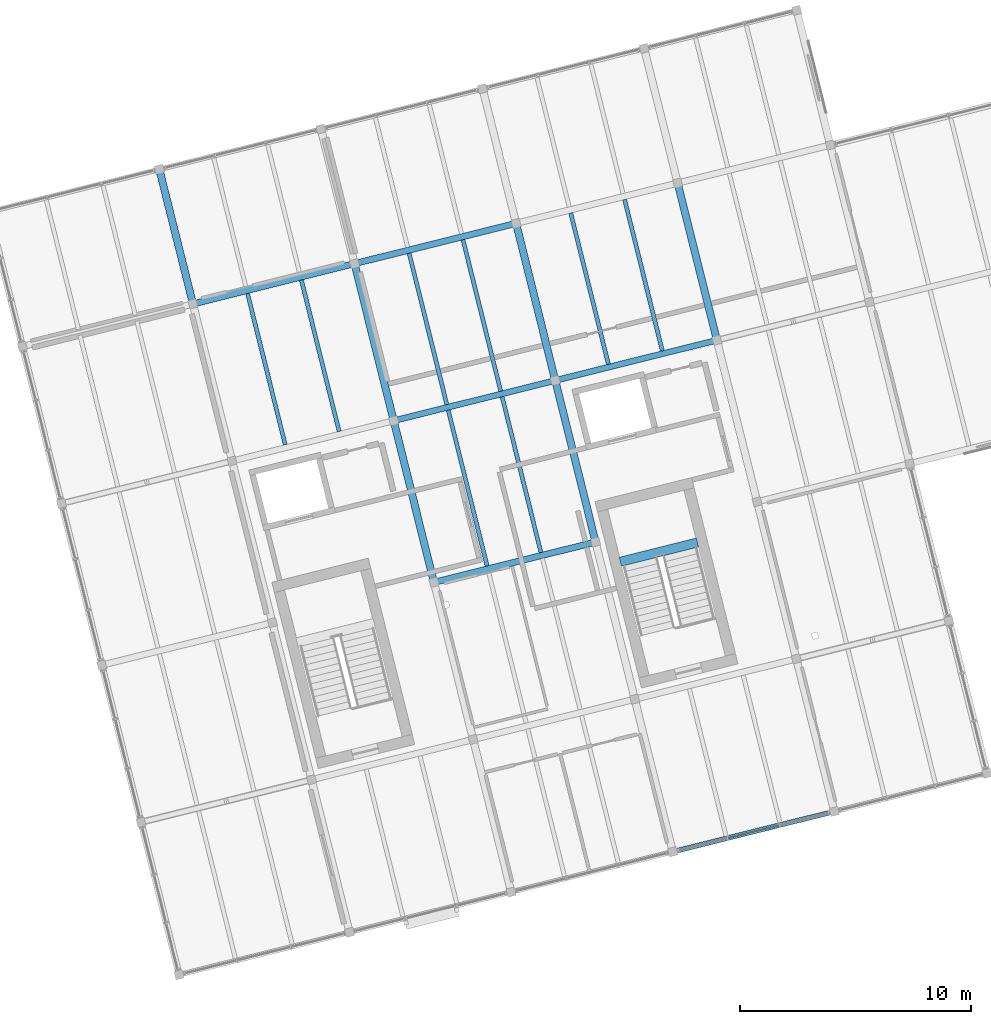
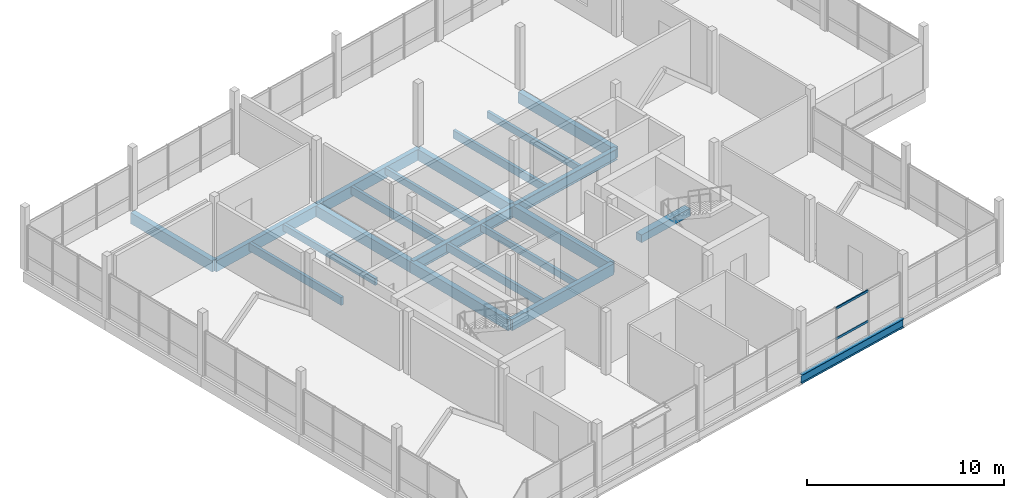
# One storey, part 10 of 26: 21 beams, 2 members, 1 element without a shape of its own.
"""IFC4 building model written with IfcOpenShell, lengths in metres."""

from ifc_helpers import new_model, si_unit, direction, frame, origin, origin_2d, place, context, subcontext, project, spatial, rectangle, hollow_rectangle, i_section, extrude, material, layer, layer_set, material_profile, profile_set, type_object, element, aggregate, save


model = new_model("IFC4")

# Units and contexts
model_context = context("Model", 3, precision=1e-05, world=origin(), true_north=direction((0.0, 1.0)))
body_context = subcontext(model_context, "Body", "Model", "MODEL_VIEW")
ifc_project = project(units=[si_unit("LENGTHUNIT", "METRE"), si_unit("AREAUNIT", "SQUARE_METRE"), si_unit("VOLUMEUNIT", "CUBIC_METRE"), si_unit("PLANEANGLEUNIT", "RADIAN"), si_unit("MASSUNIT", "GRAM", prefix="KILO")], contexts=[model_context])

# Site, building, storey
site_placement = place(None, origin())
site = spatial("IfcSite", under=ifc_project, at=site_placement, CompositionType="ELEMENT")
building_placement = place(site_placement, origin())
building = spatial("IfcBuilding", under=site, at=building_placement, Name="Meriwether Solvik Hall", CompositionType="ELEMENT")
storey_placement = place(building_placement, frame((0.0, 0.0, 41.699951171875)))
storey = spatial("IfcBuildingStorey", under=building, at=storey_placement, Name="L10", CompositionType="ELEMENT", Elevation=41.699951171875)

# Beams
ifc_material_1 = material(Name="Glulam Douglas-Fir 24F-V8 GL28h", Category="wood")
ifc_material_profile_1 = material_profile(ifc_material_1, rectangle(XDim=0.27294921875, YDim=0.68505859375, at=origin_2d()), Name="GLB-273X685")
ifc_profile_set_1 = profile_set([ifc_material_profile_1], Name="Glulam Douglas-Fir 24F-V8 GL28h")
beam_type_1 = type_object("IfcBeamType", Name="BM-GL-273X685", PredefinedType="BEAM", material=ifc_profile_set_1)
for number, where, z_axis, x_axis, name in (
    (1, (79.621826171875, 58.17041015625, -0.5224609375), (0.970291911955, 0.241937193493, 0.0), (-0.241937193493, 0.970291911955, 0.0), "Tower Girder TC:T3-T4 (L10)"),
    (2, (69.200439453125, 70.206787109375, -0.5224609375), (0.970291911955, 0.241937193493, 0.0), (-0.241937193493, 0.970291911955, 0.0), "Tower Girder TE:T2-T3 (L10)"),
    (3, (76.1865234375, 71.94873046875, -0.5224609375), (0.970291911955, 0.241937193493, 0.0), (-0.241937193493, 0.970291911955, 0.0), "Tower Girder TE:T3-T4 (L10)"),
):
    element("IfcBeam", number, at=place(storey_placement, frame(where, z_axis=z_axis, x_axis=x_axis)), inside=storey, type_object=beam_type_1, Name=name, PredefinedType="BEAM", context=body_context, shape_type="SweptSolid", body=[
        extrude(rectangle(XDim=0.27294921875, YDim=0.68505859375, at=origin_2d()), origin(), (0.0, 0.0, 1.0), 7.199951171875),
    ])
ifc_material_2 = material(Name="Glulam Douglas-Fir 24F-V8 GL28h", Category="wood")
ifc_material_profile_2 = material_profile(ifc_material_2, rectangle(XDim=0.31494140625, YDim=0.68505859375, at=origin_2d()), Name="GLB-315X685")
ifc_profile_set_2 = profile_set([ifc_material_profile_2], Name="Glulam Douglas-Fir 24F-V8 GL28h")
beam_type_2 = type_object("IfcBeamType", Name="BM-GL-315X685", PredefinedType="BEAM", material=ifc_profile_set_2)
beam_1_placement = place(storey_placement, frame((69.200439453125, 70.206787109375, -0.5224609375), z_axis=(-0.241903677572, 0.970300268359, 0.0), x_axis=(-0.970300268359, -0.241903677572, 0.0)))
element("IfcBeam", 4, at=beam_1_placement, inside=storey, type_object=beam_type_2, Name="Tower Girder T2:TE-TF (L10)", PredefinedType="BEAM", context=body_context, shape_type="SweptSolid", body=[
    extrude(rectangle(XDim=0.31494140625, YDim=0.68505859375, at=origin_2d()), origin(), (0.0, 0.0, 1.0), 6.0),
])
beam_2_placement = place(storey_placement, frame((79.621826171875, 58.17041015625, -0.5224609375), z_axis=(-0.241897310542, 0.970301855688, 0.0), x_axis=(-0.970301855688, -0.241897310542, 0.0)))
element("IfcBeam", 5, at=beam_2_placement, inside=storey, type_object=beam_type_2, Name="Tower Girder T3:TC-TD (L10)", PredefinedType="BEAM", context=body_context, shape_type="SweptSolid", body=[
    extrude(rectangle(XDim=0.31494140625, YDim=0.68505859375, at=origin_2d()), origin(), (0.0, 0.0, 1.0), 7.2001953125),
])
beam_3_placement = place(storey_placement, frame((77.880126953125, 65.15673828125, -0.5224609375), z_axis=(-0.241944715397, 0.970290036376, 0.0), x_axis=(-0.970290036376, -0.241944715397, 0.0)))
element("IfcBeam", 6, at=beam_3_placement, inside=storey, type_object=beam_type_2, Name="Tower Girder T3:TD-TE (L10)", PredefinedType="BEAM", context=body_context, shape_type="SweptSolid", body=[
    extrude(rectangle(XDim=0.31494140625, YDim=0.68505859375, at=origin_2d()), origin(), (0.0, 0.0, 1.0), 7.0),
])
beam_4_placement = place(storey_placement, frame((86.60791015625, 59.912353515625, -0.5224609375), z_axis=(-0.241905269381, 0.970299871507, 0.0), x_axis=(-0.970299871507, -0.241905269381, 0.0)))
element("IfcBeam", 7, at=beam_4_placement, inside=storey, type_object=beam_type_2, Name="Tower Girder T4:TC-TD (L10)", PredefinedType="BEAM", context=body_context, shape_type="SweptSolid", body=[
    extrude(rectangle(XDim=0.31494140625, YDim=0.68505859375, at=origin_2d()), origin(), (0.0, 0.0, 1.0), 7.199951171875),
])
beam_5_placement = place(storey_placement, frame((84.8662109375, 66.8984375, -0.5224609375), z_axis=(-0.241936527961, 0.970292077901, 0.0), x_axis=(-0.970292077901, -0.241936527961, 0.0)))
element("IfcBeam", 8, at=beam_5_placement, inside=storey, type_object=beam_type_2, Name="Tower Girder T4:TD-TE (L10)", PredefinedType="BEAM", context=body_context, shape_type="SweptSolid", body=[
    extrude(rectangle(XDim=0.31494140625, YDim=0.68505859375, at=origin_2d()), origin(), (0.0, 0.0, 1.0), 7.000244140625),
])
beam_6_placement = place(storey_placement, frame((91.852294921875, 68.640380859375, -0.5224609375), z_axis=(-0.241911879182, 0.970298223594, 0.0), x_axis=(-0.970298223594, -0.241911879182, 0.0)))
element("IfcBeam", 9, at=beam_6_placement, inside=storey, type_object=beam_type_2, Name="Tower Girder T5:TD-TE (L10)", PredefinedType="BEAM", context=body_context, shape_type="SweptSolid", body=[
    extrude(rectangle(XDim=0.31494140625, YDim=0.68505859375, at=origin_2d()), origin(), (0.0, 0.0, 1.0), 7.0),
])
ifc_material_3 = material(Name="Concrete C40/50", Category="concrete")
ifc_material_profile_3 = material_profile(ifc_material_3, rectangle(XDim=0.39990234375, YDim=0.47998046875, at=origin_2d()), Name="RCB-400X480")
ifc_profile_set_3 = profile_set([ifc_material_profile_3], Name="Concrete C40/50")
beam_type_3 = type_object("IfcBeamType", Name="BM-LND-RC-400X480", PredefinedType="BEAM", material=ifc_profile_set_3)
beam_7_placement = place(storey_placement, frame((87.67578125, 59.060302734375, 1.510009765625), z_axis=(0.970292601873, 0.24193442655, 0.0), x_axis=(-0.24193442655, 0.970292601873, 0.0)))
element("IfcBeam", 10, at=beam_7_placement, inside=storey, type_object=beam_type_3, Name="Stair ST-02 Half-Landing Header Beam (L10)", PredefinedType="BEAM", context=body_context, shape_type="SweptSolid", body=[
    extrude(rectangle(XDim=0.39990234375, YDim=0.47998046875, at=origin_2d()), origin(), (0.0, 0.0, 1.0), 3.440185546875),
])
ifc_material_4 = material(Name="Steel A992 Grade 50", Category="steel")
ifc_material_profile_4 = material_profile(ifc_material_4, i_section(OverallWidth=0.2099609375, OverallDepth=0.537109375, WebThickness=0.010986328125, FlangeThickness=0.017333984375, at=origin_2d()), Name="W21X68")
ifc_profile_set_4 = profile_set([ifc_material_profile_4], Name="Steel A992 Grade 50")
beam_type_4 = type_object("IfcBeamType", Name="BM-STL-W21X68", PredefinedType="SPANDREL", material=ifc_profile_set_4)
beam_8_placement = place(storey_placement, frame((89.946533203125, 46.522216796875, -0.448486328125), z_axis=(0.970291911955, 0.241937193493, 0.0), x_axis=(-0.241937193493, 0.970291911955, 0.0)))
element("IfcBeam", 11, at=beam_8_placement, inside=storey, type_object=beam_type_4, Name="Tower Girder TA:T4-T5 (L10)", PredefinedType="SPANDREL", context=body_context, shape_type="SweptSolid", body=[
    extrude(i_section(OverallWidth=0.2099609375, OverallDepth=0.537109375, WebThickness=0.010986328125, FlangeThickness=0.017333984375, at=origin_2d()), origin(), (0.0, 0.0, 1.0), 7.199951171875),
])
ifc_material_5 = material(Name="Steel A992 Grade 50", Category="steel")
ifc_material_profile_5 = material_profile(ifc_material_5, i_section(OverallWidth=0.256103515625, OverallDepth=0.693115234375, WebThickness=0.014404296875, FlangeThickness=0.023681640625, at=origin_2d()), Name="W27X114")
ifc_profile_set_5 = profile_set([ifc_material_profile_5], Name="Steel A992 Grade 50")
beam_type_5 = type_object("IfcBeamType", Name="BM-STL-W27X114", PredefinedType="BEAM", material=ifc_profile_set_5)
for number, where, z_axis, x_axis, name in (
    (12, (77.880126953125, 65.15673828125, -0.5263671875), (0.970299871507, 0.241905269381, 0.0), (-0.241905269381, 0.970299871507, 0.0), "Tower Girder TD:T3-T4 (L10)"),
    (13, (84.8662109375, 66.8984375, -0.5263671875), (0.970291911955, 0.241937193493, 0.0), (-0.241937193493, 0.970291911955, 0.0), "Tower Girder TD:T4-T5 (L10)"),
):
    element("IfcBeam", number, at=place(storey_placement, frame(where, z_axis=z_axis, x_axis=x_axis)), inside=storey, type_object=beam_type_5, Name=name, PredefinedType="BEAM", context=body_context, shape_type="SweptSolid", body=[
        extrude(i_section(OverallWidth=0.256103515625, OverallDepth=0.693115234375, WebThickness=0.014404296875, FlangeThickness=0.023681640625, at=origin_2d()), origin(), (0.0, 0.0, 1.0), 7.199951171875),
    ])

# Curtain wall, members
ifc_material_6 = material(Name="Thermally Broken Anodised Aluminium 6063-T6 and Low-E Glass", Category="aluminium")
ifc_layer = layer(ifc_material_6, 0.179931640625)
ifc_layer_set = layer_set([ifc_layer], Name="Thermally Broken Anodised Aluminium 6063-T6 and Low-E Glass")
curtain_wall_type = type_object("IfcCurtainWallType", Name="CW-UNIT-D", PredefinedType="USERDEFINED", material=ifc_layer_set)
curtain_wall_placement = place(storey_placement, origin())
curtain_wall = element("IfcCurtainWall", 14, at=curtain_wall_placement, inside=storey, type_object=curtain_wall_type, Name="Curtain Wall E0_B3 (L10)", ObjectType="UNITISED CURTAIN WALL", PredefinedType="USERDEFINED")
ifc_material_7 = material(Name="Anodised Aluminium 6063-T6", Category="aluminium")
ifc_material_profile_6 = material_profile(ifc_material_7, hollow_rectangle(XDim=0.06494140625, YDim=0.139892578125, WallThickness=0.00439453125, at=origin_2d()), Name="CWT-65X140")
ifc_profile_set_6 = profile_set([ifc_material_profile_6], Name="Anodised Aluminium 6063-T6")
member_type = type_object("IfcMemberType", Name="CW-TRN-65X140", PredefinedType="USERDEFINED", material=ifc_profile_set_6)
member_1_placement = place(storey_placement, frame((94.541015625, 47.667724609375, 0.8310546875), z_axis=(-0.970313054834, -0.241852383943, 0.0), x_axis=(0.241852383943, -0.970313054834, 0.0)))
member_1 = element("IfcMember", 15, at=member_1_placement, type_object=member_type, Name="Curtain Wall Transom 2-sill", ObjectType="TRANSOM", PredefinedType="USERDEFINED", context=body_context, shape_type="SweptSolid", body=[
    extrude(hollow_rectangle(XDim=0.06494140625, YDim=0.139892578125, WallThickness=0.00439453125, at=origin_2d()), origin(), (0.0, 0.0, 1.0), 2.270263671875),
])
member_2_placement = place(storey_placement, frame((94.541015625, 47.667724609375, 2.7099609375), z_axis=(-0.970313054834, -0.241852383943, 0.0), x_axis=(0.241852383943, -0.970313054834, 0.0)))
member_2 = element("IfcMember", 16, at=member_2_placement, type_object=member_type, Name="Curtain Wall Transom 2-head", ObjectType="TRANSOM", PredefinedType="USERDEFINED", context=body_context, shape_type="SweptSolid", body=[
    extrude(hollow_rectangle(XDim=0.06494140625, YDim=0.139892578125, WallThickness=0.00439453125, at=origin_2d()), origin(), (0.0, 0.0, 1.0), 2.270263671875),
])
aggregate(curtain_wall, [member_1, member_2])

# Beams
ifc_material_8 = material(Name="Glulam Douglas-Fir 24F-V8 GL28h", Category="wood")
ifc_material_profile_7 = material_profile(ifc_material_8, rectangle(XDim=0.175048828125, YDim=0.419921875, at=origin_2d()), Name="GLJ-175X420")
ifc_profile_set_7 = profile_set([ifc_material_profile_7], Name="Glulam Douglas-Fir 24F-V8 GL28h")
beam_type_6 = type_object("IfcBeamType", Name="JST-GL-175X420", PredefinedType="JOIST", material=ifc_profile_set_7)
beam_9_placement = place(storey_placement, frame((75.521484375, 64.6953125, -0.389892578125), z_axis=(-0.241913907509, 0.970297717896, 0.0), x_axis=(-0.970297717896, -0.241913907509, 0.0)))
element("IfcBeam", 17, at=beam_9_placement, inside=storey, type_object=beam_type_6, Name="Glulam Floor Joist T2/TD-J2 (L10)", PredefinedType="JOIST", context=body_context, shape_type="SweptSolid", body=[
    extrude(rectangle(XDim=0.175048828125, YDim=0.419921875, at=origin_2d()), origin(), (0.0, 0.0, 1.0), 6.74560546875),
])
beam_10_placement = place(storey_placement, frame((84.24755859375, 59.459228515625, -0.389892578125), z_axis=(-0.241940090494, 0.970291189598, 0.0), x_axis=(-0.970291189598, -0.241940090494, 0.0)))
element("IfcBeam", 18, at=beam_10_placement, inside=storey, type_object=beam_type_6, Name="Glulam Floor Joist T3/TC-J2 (L10)", PredefinedType="JOIST", context=body_context, shape_type="SweptSolid", body=[
    extrude(rectangle(XDim=0.175048828125, YDim=0.419921875, at=origin_2d()), origin(), (0.0, 0.0, 1.0), 6.945556640625),
])
for number, where, z_axis, x_axis, name in (
    (19, (82.507568359375, 66.437255859375, -0.389892578125), (-0.241913907509, 0.970297717896, 0.0), (-0.970297717896, -0.241913907509, 0.0), "Glulam Floor Joist T3/TD-J2 (L10)"),
    (20, (89.493896484375, 68.178955078125, -0.389892578125), (-0.241947981948, 0.970289221846, 0.0), (-0.970289221846, -0.241947981948, 0.0), "Glulam Floor Joist T4/TD-J2 (L10)"),
):
    element("IfcBeam", number, at=place(storey_placement, frame(where, z_axis=z_axis, x_axis=x_axis)), inside=storey, type_object=beam_type_6, Name=name, PredefinedType="JOIST", context=body_context, shape_type="SweptSolid", body=[
        extrude(rectangle(XDim=0.175048828125, YDim=0.419921875, at=origin_2d()), origin(), (0.0, 0.0, 1.0), 6.74560546875),
    ])
ifc_material_9 = material(Name="Glulam Douglas-Fir 24F-V8 GL28h", Category="wood")
ifc_material_profile_8 = material_profile(ifc_material_9, rectangle(XDim=0.175048828125, YDim=0.4951171875, at=origin_2d()), Name="GLJ-175X495")
ifc_profile_set_8 = profile_set([ifc_material_profile_8], Name="Glulam Douglas-Fir 24F-V8 GL28h")
beam_type_7 = type_object("IfcBeamType", Name="JST-GL-175X495", PredefinedType="JOIST", material=ifc_profile_set_8)
beam_11_placement = place(storey_placement, frame((73.19287109375, 64.11474609375, -0.427490234375), z_axis=(-0.241913907509, 0.970297717896, 0.0), x_axis=(-0.970297717896, -0.241913907509, 0.0)))
element("IfcBeam", 21, at=beam_11_placement, inside=storey, type_object=beam_type_7, Name="Glulam Floor Joist T2/TD-J1 (L10)", PredefinedType="JOIST", context=body_context, shape_type="SweptSolid", body=[
    extrude(rectangle(XDim=0.175048828125, YDim=0.4951171875, at=origin_2d()), origin(), (0.0, 0.0, 1.0), 6.74560546875),
])
beam_12_placement = place(storey_placement, frame((81.918701171875, 58.878662109375, -0.427490234375), z_axis=(-0.241906997216, 0.970299440739, 0.0), x_axis=(-0.970299440739, -0.241906997216, 0.0)))
element("IfcBeam", 22, at=beam_12_placement, inside=storey, type_object=beam_type_7, Name="Glulam Floor Joist T3/TC-J1 (L10)", PredefinedType="JOIST", context=body_context, shape_type="SweptSolid", body=[
    extrude(rectangle(XDim=0.175048828125, YDim=0.4951171875, at=origin_2d()), origin(), (0.0, 0.0, 1.0), 6.945556640625),
])
for number, where, z_axis, x_axis, name in (
    (23, (80.178955078125, 65.856689453125, -0.427490234375), (-0.241913907509, 0.970297717896, 0.0), (-0.970297717896, -0.241913907509, 0.0), "Glulam Floor Joist T3/TD-J1 (L10)"),
    (24, (87.1650390625, 67.598388671875, -0.427490234375), (-0.241913907509, 0.970297717896, 0.0), (-0.970297717896, -0.241913907509, 0.0), "Glulam Floor Joist T4/TD-J1 (L10)"),
):
    element("IfcBeam", number, at=place(storey_placement, frame(where, z_axis=z_axis, x_axis=x_axis)), inside=storey, type_object=beam_type_7, Name=name, PredefinedType="JOIST", context=body_context, shape_type="SweptSolid", body=[
        extrude(rectangle(XDim=0.175048828125, YDim=0.4951171875, at=origin_2d()), origin(), (0.0, 0.0, 1.0), 6.74560546875),
    ])

save(model, "model.ifc")
